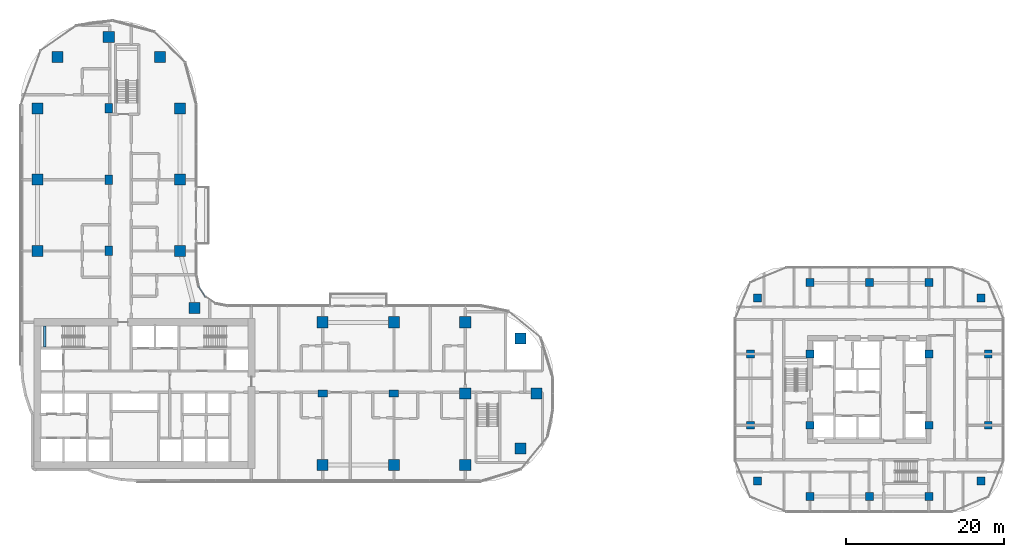
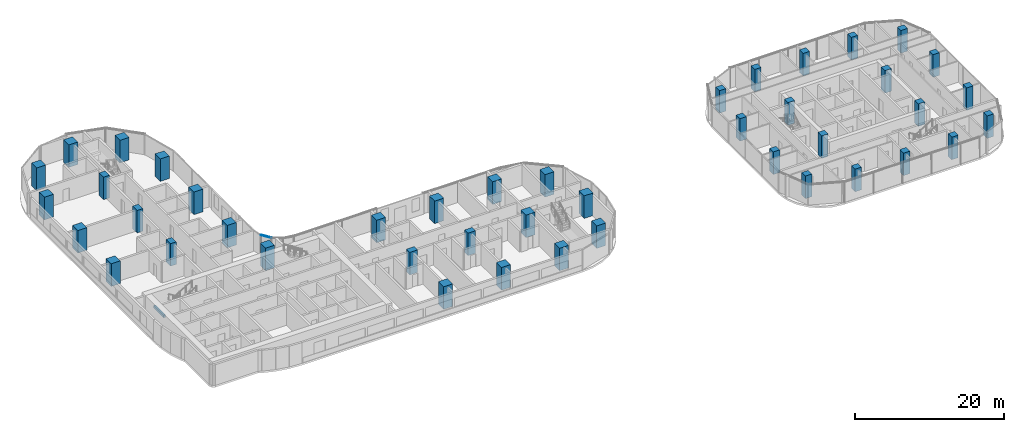
# One storey, part 1 of 32: 43 columns, 1 beam, 1 member, 1 element without a shape of its own.
"""IFC4 building model written with IfcOpenShell, lengths in metres."""

from ifc_helpers import new_model, si_unit, direction, frame, origin, origin_2d, place, context, subcontext, project, spatial, rectangle, extrude, material, material_profile, profile_set, type_object, element, aggregate, save


model = new_model("IFC4")

# Units and contexts
model_context = context("Model", 3, precision=1e-05, world=origin(), true_north=direction((0.0, 1.0)))
body_context = subcontext(model_context, "Body", "Model", "MODEL_VIEW")
ifc_project = project(units=[si_unit("LENGTHUNIT", "METRE"), si_unit("AREAUNIT", "SQUARE_METRE"), si_unit("VOLUMEUNIT", "CUBIC_METRE"), si_unit("PLANEANGLEUNIT", "RADIAN"), si_unit("MASSUNIT", "GRAM", prefix="KILO")], contexts=[model_context])

# Site, building, storey
site_placement = place(None, origin())
site = spatial("IfcSite", under=ifc_project, at=site_placement, CompositionType="ELEMENT")
building_placement = place(site_placement, origin())
building = spatial("IfcBuilding", under=site, at=building_placement, Name="Ogive Portal Towers", CompositionType="ELEMENT")
storey_placement = place(building_placement, frame((0.0, 0.0, 55.699951171875)))
storey = spatial("IfcBuildingStorey", under=building, at=storey_placement, Name="L12", CompositionType="ELEMENT", Elevation=55.699951171875)

# Columns
ifc_material_1 = material(Name="Concrete C60/75", Category="concrete")
ifc_material_profile_1 = material_profile(ifc_material_1, rectangle(XDim=1.0, YDim=1.0, at=origin_2d()), Name="RC 1000x1000")
ifc_profile_set_1 = profile_set([ifc_material_profile_1], Name="Concrete C60/75")
column_type_1 = type_object("IfcColumnType", Name="COLUMN RC 1000x1000", PredefinedType="COLUMN", material=ifc_profile_set_1)
for number, where, z_axis, x_axis, name in (
    (1, (129.0, 17.5, 0.0), (0.0, 0.0, 1.0), (1.0, 0.0, 0.0), "Column 12/H L12"),
    (2, (136.5, 17.5, 0.0), (0.0, 0.0, 1.0), (1.0, 0.0, 0.0), "Column 13/H L12"),
    (3, (144.0, 17.5, 0.0), (0.0, 0.0, 1.0), (1.0, 0.0, 0.0), "Column 14/H L12"),
    (4, (122.40087890625, 19.44189453125, 0.0), (0.0, 0.0, 1.0), (1.0, 0.0, 0.0), "Column L12"),
    (5, (150.59912109375, 19.44189453125, 0.0), (0.0, 0.0, 1.0), (1.0, 0.0, 0.0), "Column L12"),
    (6, (121.5, 26.5, 0.0), (0.0, 0.0, 1.0), (1.0, 0.0, 0.0), "Column 11/J L12"),
    (7, (129.0, 26.5, 0.0), (0.0, 0.0, 1.0), (1.0, 0.0, 0.0), "Column 12/J L12"),
    (8, (144.0, 26.5, 0.0), (0.0, 0.0, 1.0), (1.0, 0.0, 0.0), "Column 14/J L12"),
    (9, (151.5, 26.5, 0.0), (0.0, 0.0, 1.0), (1.0, 0.0, 0.0), "Column 15/J L12"),
    (10, (121.5, 35.5, 0.0), (0.0, 0.0, 1.0), (1.0, 0.0, 0.0), "Column 11/K L12"),
    (11, (129.0, 35.5, 0.0), (0.0, 0.0, 1.0), (1.0, 0.0, 0.0), "Column 12/K L12"),
    (12, (144.0, 35.5, 0.0), (0.0, 0.0, 1.0), (1.0, 0.0, 0.0), "Column 14/K L12"),
    (13, (151.5, 35.5, 0.0), (0.0, 0.0, 1.0), (1.0, 0.0, 0.0), "Column 15/K L12"),
    (14, (122.40087890625, 42.55810546875, 0.0), (0.0, 0.0, 1.0), (1.0, 0.0, 0.0), "Column L12"),
    (15, (150.59912109375, 42.55810546875, 0.0), (0.0, 0.0, 1.0), (1.0, 0.0, 0.0), "Column L12"),
    (16, (129.0, 44.5, 0.0), (0.0, 0.0, 1.0), (1.0, 0.0, 0.0), "Column 12/L L12"),
    (17, (136.5, 44.5, 0.0), (0.0, 0.0, 1.0), (1.0, 0.0, 0.0), "Column 13/L L12"),
    (18, (144.0, 44.5, 0.0), (0.0, 0.0, 1.0), (1.0, 0.0, 0.0), "Column 14/L L12"),
):
    element("IfcColumn", number, at=place(storey_placement, frame(where, z_axis=z_axis, x_axis=x_axis)), inside=storey, type_object=column_type_1, Name=name, PredefinedType="COLUMN", context=body_context, shape_type="SweptSolid", body=[
        extrude(rectangle(XDim=1.0, YDim=1.0, at=origin_2d()), origin(), (0.0, 0.0, 1.0), 3.699951171875),
    ])
ifc_material_profile_2 = material_profile(ifc_material_1, rectangle(XDim=1.199951171875, YDim=0.89990234375, at=origin_2d()), Name="RC 1200x900")
ifc_profile_set_2 = profile_set([ifc_material_profile_2], Name="Concrete C60/75")
column_type_2 = type_object("IfcColumnType", Name="COLUMN RC 1200x900", PredefinedType="COLUMN", material=ifc_profile_set_2)
for number, where, z_axis, x_axis, name in (
    (19, (67.5, 30.5, 0.0), (0.0, 0.0, 1.0), (1.0, 0.0, 0.0), "Column 5/B L12"),
    (20, (76.5, 30.5, 0.0), (0.0, 0.0, 1.0), (1.0, 0.0, 0.0), "Column 6/B L12"),
    (21, (40.5, 48.5, 0.0), (0.0, 0.0, 1.0), (0.0, 1.0, 0.0), "Column 2/D L12"),
    (22, (40.5, 57.5, 0.0), (0.0, 0.0, 1.0), (0.0, 1.0, 0.0), "Column 2/E L12"),
    (23, (40.5, 66.5, 0.0), (0.0, 0.0, 1.0), (0.0, 1.0, 0.0), "Column 2/F L12"),
):
    element("IfcColumn", number, at=place(storey_placement, frame(where, z_axis=z_axis, x_axis=x_axis)), inside=storey, type_object=column_type_2, Name=name, PredefinedType="COLUMN", context=body_context, shape_type="SweptSolid", body=[
        extrude(rectangle(XDim=1.199951171875, YDim=0.89990234375, at=origin_2d()), origin(), (0.0, 0.0, 1.0), 3.699951171875),
    ])
ifc_material_profile_3 = material_profile(ifc_material_1, rectangle(XDim=1.39990234375, YDim=1.39990234375, at=origin_2d()), Name="RC 1400x1400")
ifc_profile_set_3 = profile_set([ifc_material_profile_3], Name="Concrete C60/75")
column_type_3 = type_object("IfcColumnType", Name="COLUMN RC 1400x1400", PredefinedType="COLUMN", material=ifc_profile_set_3)
for number, where, z_axis, x_axis, name in (
    (24, (67.5, 21.5, 0.0), (0.0, 0.0, 1.0), (1.0, 0.0, 0.0), "Column 5/A L12"),
    (25, (76.5, 21.5, 0.0), (0.0, 0.0, 1.0), (1.0, 0.0, 0.0), "Column 6/A L12"),
    (26, (85.5, 21.5, 0.0), (0.0, 0.0, 1.0), (1.0, 0.0, 0.0), "Column 7/A L12"),
    (27, (92.449951171875, 23.550048828125, 0.0), (0.0, 0.0, 1.0), (1.0, 0.0, 0.0), "Column L12"),
    (28, (85.5, 30.5, 0.0), (0.0, 0.0, 1.0), (1.0, 0.0, 0.0), "Column 7/B L12"),
    (29, (94.5, 30.5, 0.0), (0.0, 0.0, 1.0), (1.0, 0.0, 0.0), "Column 8/B L12"),
    (30, (92.449951171875, 37.449951171875, 0.0), (0.0, 0.0, 1.0), (1.0, 0.0, 0.0), "Column L12"),
    (31, (67.5, 39.5, 0.0), (0.0, 0.0, 1.0), (1.0, 0.0, 0.0), "Column 5/C L12"),
    (32, (76.5, 39.5, 0.0), (0.0, 0.0, 1.0), (1.0, 0.0, 0.0), "Column 6/C L12"),
    (33, (85.5, 39.5, 0.0), (0.0, 0.0, 1.0), (1.0, 0.0, 0.0), "Column 7/C L12"),
    (34, (51.31005859375, 41.31005859375, 0.0), (0.0, 0.0, 1.0), (1.0, 0.0, 0.0), "Column L12"),
    (35, (31.5, 48.5, 0.0), (0.0, 0.0, 1.0), (1.0, 0.0, 0.0), "Column 1/D L12"),
    (36, (49.5, 48.5, 0.0), (0.0, 0.0, 1.0), (1.0, 0.0, 0.0), "Column 3/D L12"),
    (37, (31.5, 57.5, 0.0), (0.0, 0.0, 1.0), (1.0, 0.0, 0.0), "Column 1/E L12"),
    (38, (49.5, 57.5, 0.0), (0.0, 0.0, 1.0), (1.0, 0.0, 0.0), "Column 3/E L12"),
    (39, (31.5, 66.5, 0.0), (0.0, 0.0, 1.0), (1.0, 0.0, 0.0), "Column 1/F L12"),
    (40, (49.5, 66.5, 0.0), (0.0, 0.0, 1.0), (1.0, 0.0, 0.0), "Column 3/F L12"),
    (41, (34.027099609375, 72.972900390625, 0.0), (0.0, 0.0, 1.0), (1.0, 0.0, 0.0), "Column L12"),
    (42, (46.972900390625, 72.972900390625, 0.0), (0.0, 0.0, 1.0), (1.0, 0.0, 0.0), "Column L12"),
    (43, (40.5, 75.5, 0.0), (0.0, 0.0, 1.0), (1.0, 0.0, 0.0), "Column 2/G L12"),
):
    element("IfcColumn", number, at=place(storey_placement, frame(where, z_axis=z_axis, x_axis=x_axis)), inside=storey, type_object=column_type_3, Name=name, PredefinedType="COLUMN", context=body_context, shape_type="SweptSolid", body=[
        extrude(rectangle(XDim=1.39990234375, YDim=1.39990234375, at=origin_2d()), origin(), (0.0, 0.0, 1.0), 3.699951171875),
    ])

# Beam
ifc_material_2 = material(Name="Concrete C40/50", Category="concrete")
ifc_material_profile_4 = material_profile(ifc_material_2, rectangle(XDim=0.300048828125, YDim=0.39990234375, at=origin_2d()), Name="RC 300x400")
ifc_profile_set_4 = profile_set([ifc_material_profile_4], Name="Concrete C40/50")
beam_type = type_object("IfcBeamType", Name="BEAM RC 300x400", PredefinedType="BEAM", material=ifc_profile_set_4)
beam_placement = place(storey_placement, frame((32.449951171875, 36.35009765625, 1.449951171875), z_axis=(0.0, 1.0, 0.0), x_axis=(-1.0, 0.0, 0.0)))
element("IfcBeam", 44, at=beam_placement, inside=storey, type_object=beam_type, Name="Landing beam L12", PredefinedType="BEAM", context=body_context, shape_type="SweptSolid", body=[
    extrude(rectangle(XDim=0.300048828125, YDim=0.39990234375, at=origin_2d()), origin(), (0.0, 0.0, 1.0), 2.699951171875),
])

# Curtain wall, member
ifc_material_3 = material(Name="Glass, clear low-iron insulated glazing", Category="glass")
curtain_wall_type = type_object("IfcCurtainWallType", Name="CW FRONT RIBBON 4500", PredefinedType="NOTDEFINED", material=ifc_material_3)
curtain_wall_placement = place(storey_placement, origin())
curtain_wall = element("IfcCurtainWall", 45, at=curtain_wall_placement, inside=storey, type_object=curtain_wall_type, Name="A:L12:f17:cwa", PredefinedType="NOTDEFINED")
ifc_material_4 = material(Name="Aluminium 6063 anodised", Category="aluminium")
ifc_material_profile_5 = material_profile(ifc_material_4, rectangle(XDim=0.1201171875, YDim=0.06005859375, at=origin_2d()), Name="AL 120x60")
ifc_profile_set_5 = profile_set([ifc_material_profile_5], Name="Aluminium 6063 anodised")
member_type = type_object("IfcMemberType", Name="CW TRANSOM 60x120", PredefinedType="USERDEFINED", material=ifc_profile_set_5)
member_placement = place(storey_placement, frame((52.71630859375, 42.71630859375, 3.3701171875), z_axis=(-0.555470171417, 0.831536462619, 0.0), x_axis=(-0.831536462619, -0.555470171417, 0.0)))
member = element("IfcMember", 46, at=member_placement, type_object=member_type, Name="transom", ObjectType="TRANSOM", PredefinedType="USERDEFINED", context=body_context, shape_type="SweptSolid", body=[
    extrude(rectangle(XDim=0.1201171875, YDim=0.06005859375, at=origin_2d()), origin(), (0.0, 0.0, 1.0), 1.5361328125),
])
aggregate(curtain_wall, [member])

save(model, "model.ifc")
